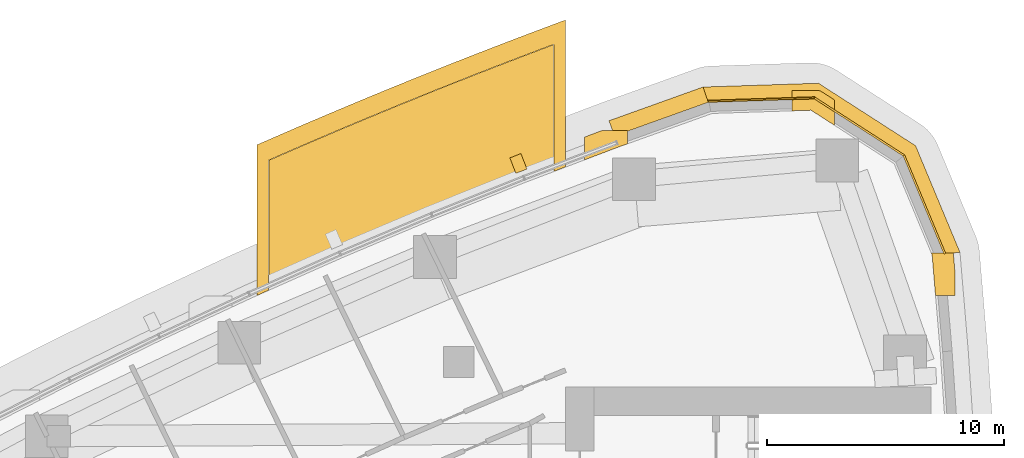
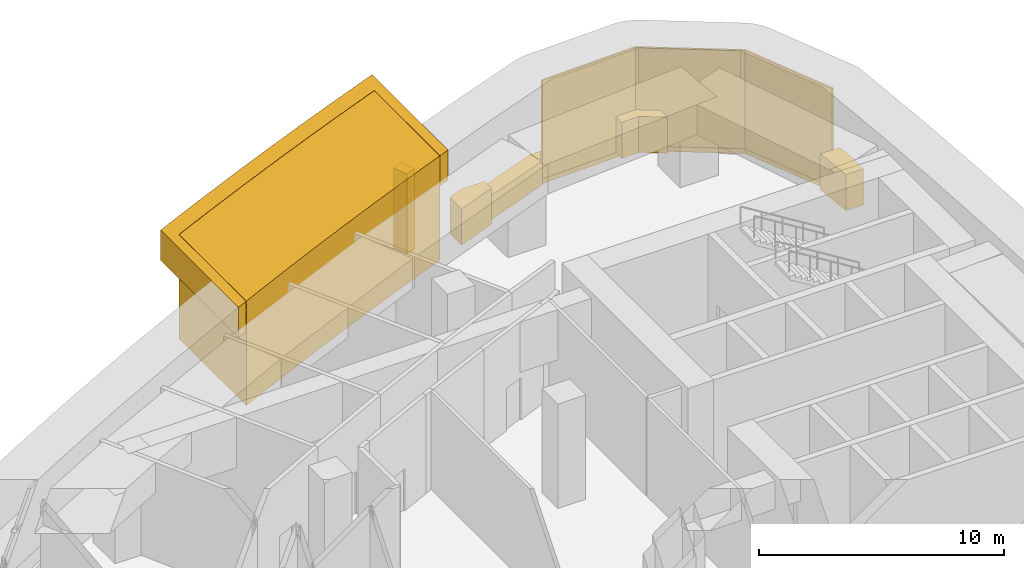
# One storey, part 17 of 17: 11 coverings.
"""IFC4 building model written with IfcOpenShell, lengths in metres."""

from ifc_helpers import new_model, si_unit, direction, frame, frame_2d, origin, place, context, subcontext, project, spatial, polyline, rectangle, outline, extrude, material, layer, layer_set, type_object, element, save


model = new_model("IFC4")

# Units and contexts
model_context = context("Model", 3, precision=1e-05, world=origin(), true_north=direction((0.0, 1.0)))
body_context = subcontext(model_context, "Body", "Model", "MODEL_VIEW")
ifc_project = project(units=[si_unit("LENGTHUNIT", "METRE"), si_unit("AREAUNIT", "SQUARE_METRE"), si_unit("VOLUMEUNIT", "CUBIC_METRE"), si_unit("PLANEANGLEUNIT", "RADIAN"), si_unit("MASSUNIT", "GRAM", prefix="KILO")], contexts=[model_context])

# Site, building, storey
site_placement = place(None, origin())
site = spatial("IfcSite", under=ifc_project, at=site_placement, CompositionType="ELEMENT")
building_placement = place(site_placement, origin())
building = spatial("IfcBuilding", under=site, at=building_placement, Name="Ostrand Prow Hotel Tower", CompositionType="ELEMENT")
storey_placement = place(building_placement, frame((0.0, 0.0, 75.10009765625)))
storey = spatial("IfcBuildingStorey", under=building, at=storey_placement, Name="L17", CompositionType="ELEMENT", Elevation=75.10009765625)

# Coverings
ifc_material_1 = material(Name="Limestone cladding", Category="masonry")
ifc_layer_1 = layer(ifc_material_1, 2.0)
ifc_layer_set_1 = layer_set([ifc_layer_1], Name="Limestone cladding")
covering_type_1 = type_object("IfcCoveringType", Name="Belt lip limestone", PredefinedType="CLADDING", material=ifc_layer_set_1)
covering_1_placement = place(storey_placement, origin())
element("IfcCovering", 1, at=covering_1_placement, inside=storey, type_object=covering_type_1, Name="Belt fin 14 L17", PredefinedType="CLADDING", context=body_context, shape_type="SweptSolid", body=[
    extrude(outline(polyline([(65.857177734375, 22.59375), (65.855224609375, 22.607666015625), (64.923095703125, 22.607666015625), (64.960205078125, 22.518310546875), (65.10400390625, 20.8076171875), (65.928466796875, 20.8076171875), (65.928466796875, 21.74560546875), (65.857177734375, 22.59375)])), origin(), (0.0, 0.0, 1.0), 1.7998046875),
])
covering_2_placement = place(storey_placement, origin())
element("IfcCovering", 2, at=covering_2_placement, inside=storey, type_object=covering_type_1, Name="Belt fin 15 L17", PredefinedType="CLADDING", context=body_context, shape_type="SweptSolid", body=[
    extrude(outline(polyline([(60.179443359375, 29.459716796875), (60.173828125, 29.46142578125), (59.045654296875, 29.46142578125), (59.045654296875, 28.59423828125), (59.853759765625, 28.62060546875), (60.845703125, 27.982421875), (60.845703125, 29.052734375), (60.3408203125, 29.377685546875), (60.26220703125, 29.422607421875), (60.179443359375, 29.459716796875)])), origin(), (0.0, 0.0, 1.0), 1.7998046875),
])
covering_3_placement = place(storey_placement, origin())
element("IfcCovering", 3, at=covering_3_placement, inside=storey, type_object=covering_type_1, Name="Belt fin 16 L17", PredefinedType="CLADDING", context=body_context, shape_type="SweptSolid", body=[
    extrude(outline(polyline([(51.743896484375, 27.070068359375), (52.109130859375, 27.200927734375), (52.109130859375, 27.76708984375), (51.044189453125, 27.76708984375), (50.30908203125, 27.48828125), (50.30908203125, 26.525634765625), (51.743896484375, 27.070068359375)])), origin(), (0.0, 0.0, 1.0), 1.7998046875),
])
ifc_material_2 = material(Name="Bronze anodised aluminium cladding", Category="aluminium")
ifc_layer_2 = layer(ifc_material_2, 0.60009765625)
ifc_layer_set_2 = layer_set([ifc_layer_2], Name="Bronze anodised aluminium cladding")
covering_type_2 = type_object("IfcCoveringType", Name="Bronze spandrel band 1200x600", PredefinedType="CLADDING", material=ifc_layer_set_2)
covering_4_placement = place(storey_placement, frame((0.0, 0.0, -0.300048828125)))
element("IfcCovering", 4, at=covering_4_placement, inside=storey, type_object=covering_type_2, Name="Spandrel band back 4", PredefinedType="CLADDING", context=body_context, shape_type="SweptSolid", body=[
    extrude(outline(polyline([(66.13525390625, 22.627197265625), (64.26318359375, 27.123046875), (60.16796875, 29.758056640625), (55.300537109375, 29.5986328125), (55.497802734375, 29.031982421875), (60.008056640625, 29.1796875), (63.802978515625, 26.73779296875), (65.537841796875, 22.572021484375), (66.13525390625, 22.627197265625)])), origin(), (0.0, 0.0, 1.0), 1.199951171875),
])
covering_5_placement = place(storey_placement, frame((0.0, 0.0, -0.300048828125)))
element("IfcCovering", 5, at=covering_5_placement, inside=storey, type_object=covering_type_2, Name="Spandrel band back 5", PredefinedType="CLADDING", context=body_context, shape_type="SweptSolid", body=[
    extrude(outline(polyline([(55.300537109375, 29.5986328125), (51.335205078125, 28.177001953125), (51.57080078125, 27.5390625), (55.524169921875, 28.956298828125), (55.300537109375, 29.5986328125)])), origin(), (0.0, 0.0, 1.0), 1.199951171875),
])
ifc_material_3 = material(Name="Limestone cladding", Category="masonry")
ifc_layer_3 = layer(ifc_material_3, 5.0)
ifc_layer_set_3 = layer_set([ifc_layer_3], Name="Limestone cladding")
covering_type_3 = type_object("IfcCoveringType", Name="Portal jamb pilaster limestone", PredefinedType="CLADDING", material=ifc_layer_set_3)
covering_6_placement = place(storey_placement, origin())
element("IfcCovering", 6, at=covering_6_placement, inside=storey, type_object=covering_type_3, Name="Portal jamb NB L17", PredefinedType="CLADDING", context=body_context, shape_type="SweptSolid", body=[
    extrude(outline(polyline([(37.0, 21.037109375), (38.0, 21.484619140625), (39.0, 21.9267578125), (40.0, 22.363037109375), (41.0, 22.793701171875), (42.0, 23.218505859375), (43.0, 23.637939453125), (44.0, 24.051513671875), (45.0, 24.459716796875), (46.0, 24.862548828125), (47.0, 25.259765625), (48.0, 25.6513671875), (49.0, 26.03759765625), (49.0, 31.384521484375), (48.0, 31.0078125), (47.0, 30.62548828125), (46.0, 30.23828125), (45.0, 29.845703125), (44.0, 29.447509765625), (43.0, 29.044189453125), (42.0, 28.635498046875), (41.0, 28.22119140625), (40.0, 27.801513671875), (39.0, 27.376220703125), (38.0, 26.945556640625), (37.0, 26.50927734375), (37.0, 21.037109375)])), origin(), (0.0, 0.0, 1.0), 5.199951171875),
])
ifc_material_4 = material(Name="Limestone cladding", Category="masonry")
ifc_layer_4 = layer(ifc_material_4, 4.0)
ifc_layer_set_4 = layer_set([ifc_layer_4], Name="Limestone cladding")
covering_type_4 = type_object("IfcCoveringType", Name="Portal lintel limestone", PredefinedType="CLADDING", material=ifc_layer_set_4)
covering_7_placement = place(storey_placement, frame((0.0, 0.0, 3.699951171875)))
element("IfcCovering", 7, at=covering_7_placement, inside=storey, type_object=covering_type_4, Name="Portal jamb cap NB L17", PredefinedType="CLADDING", context=body_context, shape_type="SweptSolid", body=[
    extrude(outline(polyline([(36.5, 27.163330078125), (36.5, 20.810791015625), (36.9912109375, 21.0322265625), (36.99072265625, 21.033203125), (36.990478515625, 21.033935546875), (36.990234375, 21.034912109375), (36.989990234375, 21.035888671875), (36.989990234375, 21.037109375), (36.989990234375, 26.50927734375), (36.989990234375, 26.51025390625), (36.990234375, 26.51123046875), (36.990478515625, 26.51220703125), (36.99072265625, 26.51318359375), (36.9912109375, 26.513916015625), (36.99169921875, 26.514892578125), (36.9921875, 26.515625), (36.992919921875, 26.516357421875), (36.993408203125, 26.516845703125), (36.994384765625, 26.517578125), (36.9951171875, 26.51806640625), (36.99609375, 26.5185546875), (37.99609375, 26.95458984375), (37.99609375, 26.954833984375), (38.99609375, 27.385498046875), (38.99609375, 27.385498046875), (39.99609375, 27.810791015625), (39.99609375, 27.810791015625), (40.99609375, 28.23046875), (40.99609375, 28.23046875), (41.99609375, 28.64453125), (41.99609375, 28.644775390625), (42.99609375, 29.053466796875), (42.996337890625, 29.053466796875), (43.996337890625, 29.456787109375), (43.996337890625, 29.456787109375), (44.996337890625, 29.85498046875), (44.996337890625, 29.85498046875), (45.996337890625, 30.24755859375), (45.996337890625, 30.24755859375), (46.996337890625, 30.635009765625), (46.996337890625, 30.635009765625), (47.996337890625, 31.01708984375), (47.99658203125, 31.01708984375), (48.99658203125, 31.393798828125), (48.997314453125, 31.394287109375), (48.998291015625, 31.394287109375), (48.999267578125, 31.39453125), (49.000244140625, 31.39453125), (49.001220703125, 31.39453125), (49.002197265625, 31.394287109375), (49.003173828125, 31.39404296875), (49.00390625, 31.393798828125), (49.0048828125, 31.393310546875), (49.005615234375, 31.392822265625), (49.006591796875, 31.39208984375), (49.007080078125, 31.3916015625), (49.0078125, 31.390869140625), (49.00830078125, 31.389892578125), (49.0087890625, 31.38916015625), (49.00927734375, 31.38818359375), (49.009521484375, 31.387451171875), (49.009765625, 31.386474609375), (49.010009765625, 31.385498046875), (49.010009765625, 31.384521484375), (49.010009765625, 26.041015625), (49.5, 26.228759765625), (49.5, 32.42431640625), (48.5, 32.051513671875), (47.5, 31.673583984375), (46.5, 31.290283203125), (45.5, 30.90185546875), (44.5, 30.508056640625), (43.5, 30.10888671875), (42.5, 29.70458984375), (41.5, 29.294677734375), (40.5, 28.87939453125), (39.5, 28.45849609375), (38.5, 28.032470703125), (37.5, 27.6005859375), (36.5, 27.163330078125)])), origin(), (0.0, 0.0, 1.0), 1.5),
])
ifc_material_5 = material(Name="Limestone cladding", Category="masonry")
ifc_layer_5 = layer(ifc_material_5, 0.5)
ifc_layer_set_5 = layer_set([ifc_layer_5], Name="Limestone cladding")
covering_type_5 = type_object("IfcCoveringType", Name="Precast stone fin 500x600", PredefinedType="CLADDING", material=ifc_layer_set_5)
covering_8_placement = place(storey_placement, frame((47.64404296875, 26.04931640625, 0.89990234375), z_axis=(0.0, 0.0, 1.0), x_axis=(-0.363439124907, 0.931617948779, 0.0)))
element("IfcCovering", 8, at=covering_8_placement, inside=storey, type_object=covering_type_5, Name="Stone fin N 2", PredefinedType="CLADDING", context=body_context, shape_type="SweptSolid", body=[
    extrude(rectangle(XDim=0.699951171875, YDim=0.5, at=frame_2d((0.35009765625, 0.0))), origin(), (0.0, 0.0, 1.0), 4.0),
])
ifc_material_6 = material(Name="Limestone cladding", Category="masonry")
ifc_layer_6 = layer(ifc_material_6, 0.080078125)
ifc_layer_set_6 = layer_set([ifc_layer_6], Name="Limestone cladding")
covering_type_6 = type_object("IfcCoveringType", Name="Warm limestone cladding 80 mm", PredefinedType="CLADDING", material=ifc_layer_set_6)
covering_9_placement = place(storey_placement, frame((65.497802734375, 22.568115234375, 0.0), z_axis=(0.0, 0.0, 1.0), x_axis=(-0.38436048622, 0.923183089443, 0.0)))
element("IfcCovering", 9, at=covering_9_placement, inside=storey, type_object=covering_type_6, Name="Limestone cladding back 16", PredefinedType="CLADDING", context=body_context, shape_type="SweptSolid", body=[
    extrude(outline(polyline([(-0.00634765625, -0.0400390625), (4.501220703125, -0.0400390625), (4.476318359375, 0.0400390625), (0.00634765625, 0.0400390625), (-0.00634765625, -0.0400390625)])), origin(), (0.0, 0.0, 1.0), 4.89990234375),
])
covering_10_placement = place(storey_placement, frame((63.7724609375, 26.712158203125, 0.0), z_axis=(0.0, 0.0, 1.0), x_axis=(-0.840952209207, 0.541109399133, 0.0)))
element("IfcCovering", 10, at=covering_10_placement, inside=storey, type_object=covering_type_6, Name="Limestone cladding back 17", PredefinedType="CLADDING", context=body_context, shape_type="SweptSolid", body=[
    extrude(outline(polyline([(-0.012451171875, -0.0400390625), (4.501220703125, -0.0400390625), (4.476318359375, 0.0400390625), (0.012451171875, 0.0400390625), (-0.012451171875, -0.0400390625)])), origin(), (0.0, 0.0, 1.0), 4.89990234375),
])
covering_11_placement = place(storey_placement, frame((59.99755859375, 29.14111328125, 0.0), z_axis=(0.0, 0.0, 1.0), x_axis=(-0.999463877056, -0.032740776731, 0.0)))
element("IfcCovering", 11, at=covering_11_placement, inside=storey, type_object=covering_type_6, Name="Limestone cladding back 18", PredefinedType="CLADDING", context=body_context, shape_type="SweptSolid", body=[
    extrude(outline(polyline([(-0.012451171875, -0.0400390625), (4.495361328125, -0.0400390625), (4.482666015625, 0.0400390625), (0.012451171875, 0.0400390625), (-0.012451171875, -0.0400390625)])), origin(), (0.0, 0.0, 1.0), 4.89990234375),
])

save(model, "model.ifc")
